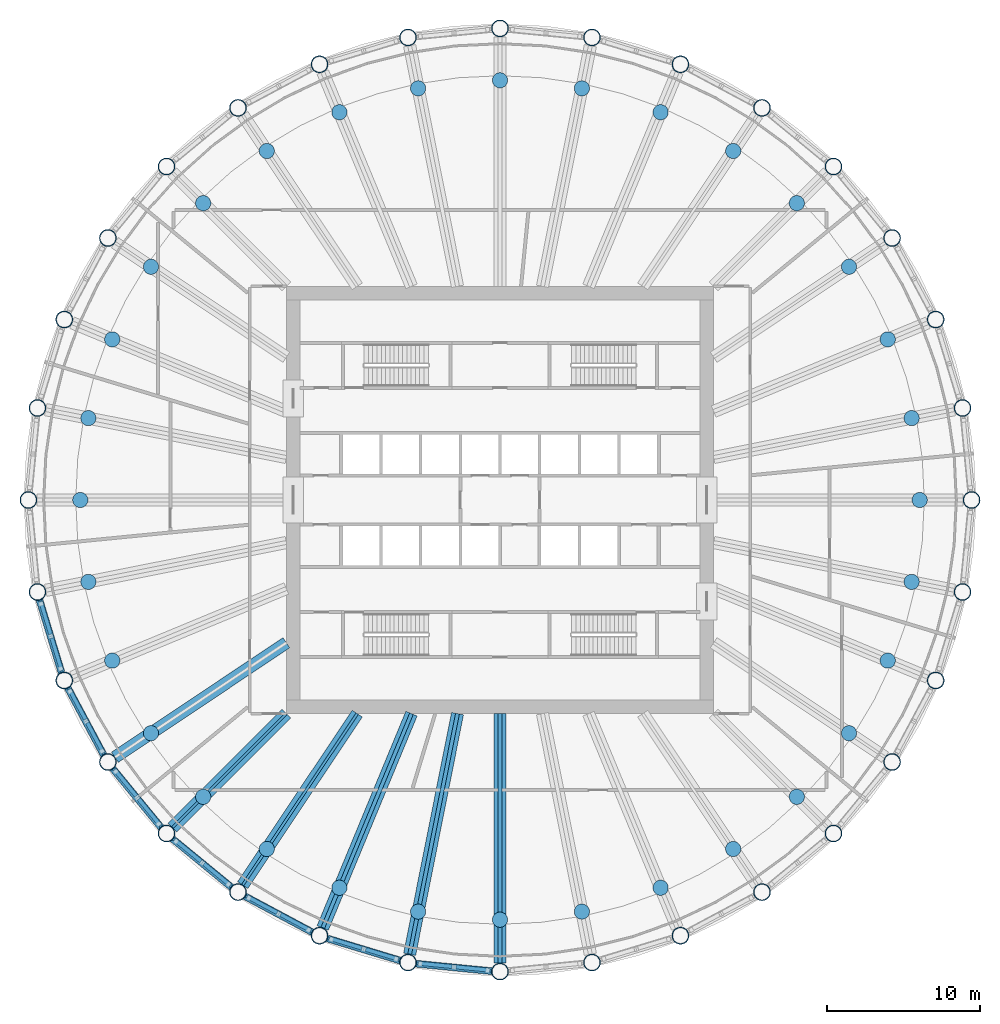
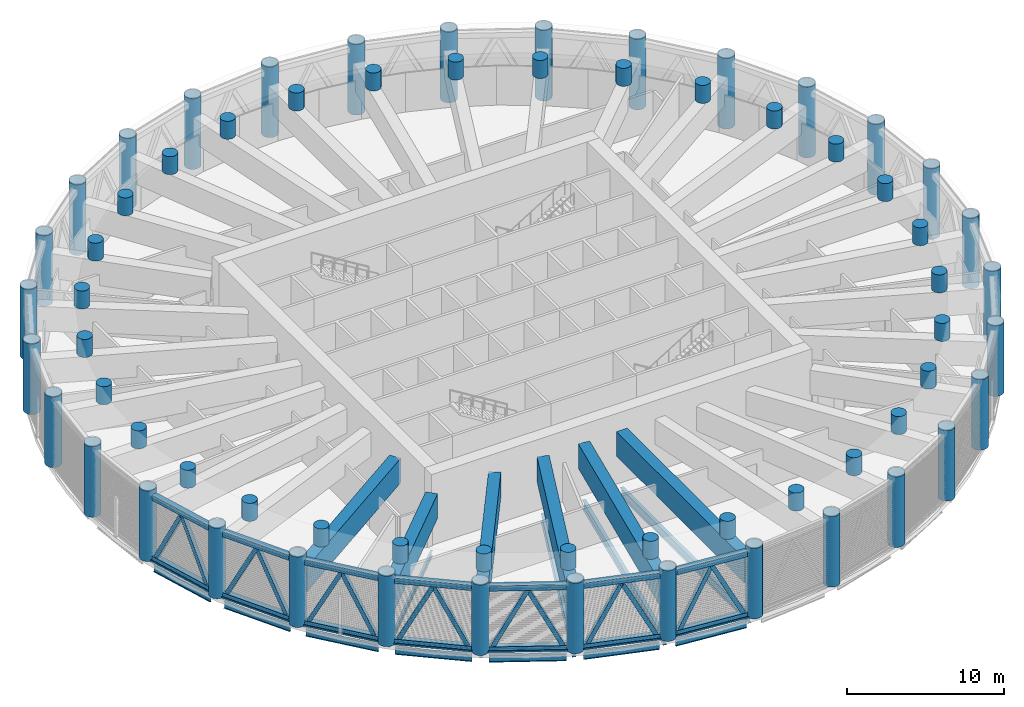
# One storey, part 1 of 23: 64 columns, 35 members, 18 beams, 7 elements without a shape of their own.
"""IFC4 building model written with IfcOpenShell, lengths in metres."""

from ifc_helpers import new_model, si_unit, direction, frame, origin, origin_2d, place, context, subcontext, project, spatial, rectangle, hollow_rectangle, circle, hollow_circle, i_section, extrude, material, material_profile, profile_set, type_object, element, aggregate, save


model = new_model("IFC4")

# Units and contexts
model_context = context("Model", 3, precision=1e-05, world=origin(), true_north=direction((0.0, 1.0)))
body_context = subcontext(model_context, "Body", "Model", "MODEL_VIEW")
ifc_project = project(units=[si_unit("LENGTHUNIT", "METRE"), si_unit("AREAUNIT", "SQUARE_METRE"), si_unit("VOLUMEUNIT", "CUBIC_METRE"), si_unit("PLANEANGLEUNIT", "RADIAN"), si_unit("MASSUNIT", "GRAM", prefix="KILO")], contexts=[model_context])

# Site, building, storey
site_placement = place(None, origin())
site = spatial("IfcSite", under=ifc_project, at=site_placement, CompositionType="ELEMENT")
building_placement = place(site_placement, origin())
building = spatial("IfcBuilding", under=site, at=building_placement, Name="Corvane Civic Tower", CompositionType="ELEMENT")
storey_placement = place(building_placement, frame((0.0, 0.0, 196.0)))
storey = spatial("IfcBuildingStorey", under=building, at=storey_placement, Name="L46", CompositionType="ELEMENT", Elevation=196.0)

# Columns
ifc_material_1 = material(Name="Steel ASTM A572 Gr 50", Category="steel")
ifc_material_profile_1 = material_profile(ifc_material_1, hollow_circle(Radius=0.550048828125, WallThickness=0.031982421875, at=origin_2d()), Name="CHS1100X32")
ifc_profile_set_1 = profile_set([ifc_material_profile_1], Name="Steel ASTM A572 Gr 50")
column_type_1 = type_object("IfcColumnType", Name="COMPOSITE COLUMN CHS1100X32", PredefinedType="COLUMN", material=ifc_profile_set_1)
for number, where, z_axis, x_axis, name in (
    (1, (0.0, 30.89990234375, 0.0), (0.0, 0.0, 1.0), (1.0, 0.0, 0.0), "COL-L46-C01"),
    (2, (6.0283203125, 30.30615234375, 0.0), (0.0, 0.0, 1.0), (1.0, 0.0, 0.0), "COL-L46-C02"),
    (3, (11.824951171875, 28.5478515625, 0.0), (0.0, 0.0, 1.0), (1.0, 0.0, 0.0), "COL-L46-C03"),
    (4, (17.167236328125, 25.6923828125, 0.0), (0.0, 0.0, 1.0), (1.0, 0.0, 0.0), "COL-L46-C04"),
    (5, (21.849609375, 21.849609375, 0.0), (0.0, 0.0, 1.0), (1.0, 0.0, 0.0), "COL-L46-C05"),
    (6, (25.6923828125, 17.167236328125, 0.0), (0.0, 0.0, 1.0), (1.0, 0.0, 0.0), "COL-L46-C06"),
    (7, (28.5478515625, 11.824951171875, 0.0), (0.0, 0.0, 1.0), (1.0, 0.0, 0.0), "COL-L46-C07"),
    (8, (30.30615234375, 6.0283203125, 0.0), (0.0, 0.0, 1.0), (1.0, 0.0, 0.0), "COL-L46-C08"),
    (9, (30.89990234375, 0.0, 0.0), (0.0, 0.0, 1.0), (1.0, 0.0, 0.0), "COL-L46-C09"),
    (10, (30.30615234375, -6.0283203125, 0.0), (0.0, 0.0, 1.0), (1.0, 0.0, 0.0), "COL-L46-C10"),
    (11, (28.5478515625, -11.824951171875, 0.0), (0.0, 0.0, 1.0), (1.0, 0.0, 0.0), "COL-L46-C11"),
    (12, (25.6923828125, -17.167236328125, 0.0), (0.0, 0.0, 1.0), (1.0, 0.0, 0.0), "COL-L46-C12"),
    (13, (21.849609375, -21.849609375, 0.0), (0.0, 0.0, 1.0), (1.0, 0.0, 0.0), "COL-L46-C13"),
    (14, (17.167236328125, -25.6923828125, 0.0), (0.0, 0.0, 1.0), (1.0, 0.0, 0.0), "COL-L46-C14"),
    (15, (11.824951171875, -28.5478515625, 0.0), (0.0, 0.0, 1.0), (1.0, 0.0, 0.0), "COL-L46-C15"),
    (16, (6.0283203125, -30.30615234375, 0.0), (0.0, 0.0, 1.0), (1.0, 0.0, 0.0), "COL-L46-C16"),
    (17, (0.0, -30.89990234375, 0.0), (0.0, 0.0, 1.0), (1.0, 0.0, 0.0), "COL-L46-C17"),
    (18, (-6.0283203125, -30.30615234375, 0.0), (0.0, 0.0, 1.0), (1.0, 0.0, 0.0), "COL-L46-C18"),
    (19, (-11.824951171875, -28.5478515625, 0.0), (0.0, 0.0, 1.0), (1.0, 0.0, 0.0), "COL-L46-C19"),
    (20, (-17.167236328125, -25.6923828125, 0.0), (0.0, 0.0, 1.0), (1.0, 0.0, 0.0), "COL-L46-C20"),
    (21, (-21.849609375, -21.849609375, 0.0), (0.0, 0.0, 1.0), (1.0, 0.0, 0.0), "COL-L46-C21"),
    (22, (-25.6923828125, -17.167236328125, 0.0), (0.0, 0.0, 1.0), (1.0, 0.0, 0.0), "COL-L46-C22"),
    (23, (-28.5478515625, -11.824951171875, 0.0), (0.0, 0.0, 1.0), (1.0, 0.0, 0.0), "COL-L46-C23"),
    (24, (-30.30615234375, -6.0283203125, 0.0), (0.0, 0.0, 1.0), (1.0, 0.0, 0.0), "COL-L46-C24"),
    (25, (-30.89990234375, 0.0, 0.0), (0.0, 0.0, 1.0), (1.0, 0.0, 0.0), "COL-L46-C25"),
    (26, (-30.30615234375, 6.0283203125, 0.0), (0.0, 0.0, 1.0), (1.0, 0.0, 0.0), "COL-L46-C26"),
    (27, (-28.5478515625, 11.824951171875, 0.0), (0.0, 0.0, 1.0), (1.0, 0.0, 0.0), "COL-L46-C27"),
    (28, (-25.6923828125, 17.167236328125, 0.0), (0.0, 0.0, 1.0), (1.0, 0.0, 0.0), "COL-L46-C28"),
    (29, (-21.849609375, 21.849609375, 0.0), (0.0, 0.0, 1.0), (1.0, 0.0, 0.0), "COL-L46-C29"),
    (30, (-17.167236328125, 25.6923828125, 0.0), (0.0, 0.0, 1.0), (1.0, 0.0, 0.0), "COL-L46-C30"),
    (31, (-11.824951171875, 28.5478515625, 0.0), (0.0, 0.0, 1.0), (1.0, 0.0, 0.0), "COL-L46-C31"),
    (32, (-6.0283203125, 30.30615234375, 0.0), (0.0, 0.0, 1.0), (1.0, 0.0, 0.0), "COL-L46-C32"),
):
    element("IfcColumn", number, at=place(storey_placement, frame(where, z_axis=z_axis, x_axis=x_axis)), inside=storey, type_object=column_type_1, Name=name, PredefinedType="COLUMN", context=body_context, shape_type="SweptSolid", body=[
        extrude(hollow_circle(Radius=0.550048828125, WallThickness=0.031982421875, at=origin_2d()), origin(), (0.0, 0.0, 1.0), 5.5),
    ])
ifc_material_2 = material(Name="Concrete C60/75", Category="concrete")
ifc_material_profile_2 = material_profile(ifc_material_2, circle(Radius=0.5, at=origin_2d()), Name="COLUMN 1000")
ifc_profile_set_2 = profile_set([ifc_material_profile_2], Name="Concrete C60/75")
column_type_2 = type_object("IfcColumnType", Name="RC COLUMN COLUMN 1000", PredefinedType="COLUMN", material=ifc_profile_set_2)
for number, where, z_axis, x_axis, name in (
    (33, (0.0, 27.5, 4.10009765625), (0.0, 0.0, 1.0), (1.0, 0.0, 0.0), "COL-L46-D01"),
    (34, (5.364990234375, 26.9716796875, 4.10009765625), (0.0, 0.0, 1.0), (1.0, 0.0, 0.0), "COL-L46-D02"),
    (35, (10.523681640625, 25.40673828125, 4.10009765625), (0.0, 0.0, 1.0), (1.0, 0.0, 0.0), "COL-L46-D03"),
    (36, (15.278076171875, 22.865478515625, 4.10009765625), (0.0, 0.0, 1.0), (1.0, 0.0, 0.0), "COL-L46-D04"),
    (37, (19.445556640625, 19.445556640625, 4.10009765625), (0.0, 0.0, 1.0), (1.0, 0.0, 0.0), "COL-L46-D05"),
    (38, (22.865478515625, 15.278076171875, 4.10009765625), (0.0, 0.0, 1.0), (1.0, 0.0, 0.0), "COL-L46-D06"),
    (39, (25.40673828125, 10.523681640625, 4.10009765625), (0.0, 0.0, 1.0), (1.0, 0.0, 0.0), "COL-L46-D07"),
    (40, (26.9716796875, 5.364990234375, 4.10009765625), (0.0, 0.0, 1.0), (1.0, 0.0, 0.0), "COL-L46-D08"),
    (41, (27.5, 0.0, 4.10009765625), (0.0, 0.0, 1.0), (1.0, 0.0, 0.0), "COL-L46-D09"),
    (42, (26.9716796875, -5.364990234375, 4.10009765625), (0.0, 0.0, 1.0), (1.0, 0.0, 0.0), "COL-L46-D10"),
    (43, (25.40673828125, -10.523681640625, 4.10009765625), (0.0, 0.0, 1.0), (1.0, 0.0, 0.0), "COL-L46-D11"),
    (44, (22.865478515625, -15.278076171875, 4.10009765625), (0.0, 0.0, 1.0), (1.0, 0.0, 0.0), "COL-L46-D12"),
    (45, (19.445556640625, -19.445556640625, 4.10009765625), (0.0, 0.0, 1.0), (1.0, 0.0, 0.0), "COL-L46-D13"),
    (46, (15.278076171875, -22.865478515625, 4.10009765625), (0.0, 0.0, 1.0), (1.0, 0.0, 0.0), "COL-L46-D14"),
    (47, (10.523681640625, -25.40673828125, 4.10009765625), (0.0, 0.0, 1.0), (1.0, 0.0, 0.0), "COL-L46-D15"),
    (48, (5.364990234375, -26.9716796875, 4.10009765625), (0.0, 0.0, 1.0), (1.0, 0.0, 0.0), "COL-L46-D16"),
    (49, (0.0, -27.5, 4.10009765625), (0.0, 0.0, 1.0), (1.0, 0.0, 0.0), "COL-L46-D17"),
    (50, (-5.364990234375, -26.9716796875, 4.10009765625), (0.0, 0.0, 1.0), (1.0, 0.0, 0.0), "COL-L46-D18"),
    (51, (-10.523681640625, -25.40673828125, 4.10009765625), (0.0, 0.0, 1.0), (1.0, 0.0, 0.0), "COL-L46-D19"),
    (52, (-15.278076171875, -22.865478515625, 4.10009765625), (0.0, 0.0, 1.0), (1.0, 0.0, 0.0), "COL-L46-D20"),
    (53, (-19.445556640625, -19.445556640625, 4.10009765625), (0.0, 0.0, 1.0), (1.0, 0.0, 0.0), "COL-L46-D21"),
    (54, (-22.865478515625, -15.278076171875, 4.10009765625), (0.0, 0.0, 1.0), (1.0, 0.0, 0.0), "COL-L46-D22"),
    (55, (-25.40673828125, -10.523681640625, 4.10009765625), (0.0, 0.0, 1.0), (1.0, 0.0, 0.0), "COL-L46-D23"),
    (56, (-26.9716796875, -5.364990234375, 4.10009765625), (0.0, 0.0, 1.0), (1.0, 0.0, 0.0), "COL-L46-D24"),
    (57, (-27.5, 0.0, 4.10009765625), (0.0, 0.0, 1.0), (1.0, 0.0, 0.0), "COL-L46-D25"),
    (58, (-26.9716796875, 5.364990234375, 4.10009765625), (0.0, 0.0, 1.0), (1.0, 0.0, 0.0), "COL-L46-D26"),
    (59, (-25.40673828125, 10.523681640625, 4.10009765625), (0.0, 0.0, 1.0), (1.0, 0.0, 0.0), "COL-L46-D27"),
    (60, (-22.865478515625, 15.278076171875, 4.10009765625), (0.0, 0.0, 1.0), (1.0, 0.0, 0.0), "COL-L46-D28"),
    (61, (-19.445556640625, 19.445556640625, 4.10009765625), (0.0, 0.0, 1.0), (1.0, 0.0, 0.0), "COL-L46-D29"),
    (62, (-15.278076171875, 22.865478515625, 4.10009765625), (0.0, 0.0, 1.0), (1.0, 0.0, 0.0), "COL-L46-D30"),
    (63, (-10.523681640625, 25.40673828125, 4.10009765625), (0.0, 0.0, 1.0), (1.0, 0.0, 0.0), "COL-L46-D31"),
    (64, (-5.364990234375, 26.9716796875, 4.10009765625), (0.0, 0.0, 1.0), (1.0, 0.0, 0.0), "COL-L46-D32"),
):
    element("IfcColumn", number, at=place(storey_placement, frame(where, z_axis=z_axis, x_axis=x_axis)), inside=storey, type_object=column_type_2, Name=name, PredefinedType="COLUMN", context=body_context, shape_type="SweptSolid", body=[
        extrude(circle(Radius=0.5, at=origin_2d()), origin(), (0.0, 0.0, 1.0), 1.39990234375),
    ])

# Members
ifc_material_3 = material(Name="Steel ASTM A500 Gr C", Category="steel")
ifc_material_profile_3 = material_profile(ifc_material_3, hollow_rectangle(XDim=0.406494140625, YDim=0.406494140625, WallThickness=0.0146484375, at=origin_2d()), Name="HSS16X16X5/8")
ifc_profile_set_3 = profile_set([ifc_material_profile_3], Name="Steel ASTM A500 Gr C")
member_type_1 = type_object("IfcMemberType", Name="BELT CHORD HSS16X16X5/8", PredefinedType="CHORD", material=ifc_profile_set_3)
for number, where, z_axis, x_axis, name in (
    (65, (-0.54736328125, -30.845947265625, 4.94677734375), (-0.995186236294, 0.09800181167, 0.0), (-0.09800181167, -0.995186236294, 0.0), "Belt truss BT-L46"),
    (66, (-0.54736328125, -30.845947265625, 0.203125), (-0.995186236294, 0.09800181167, 0.0), (-0.09800181167, -0.995186236294, 0.0), "Belt truss BT-L46"),
):
    element("IfcMember", number, at=place(storey_placement, frame(where, z_axis=z_axis, x_axis=x_axis)), inside=storey, type_object=member_type_1, Name=name, PredefinedType="CHORD", context=body_context, shape_type="SweptSolid", body=[
        extrude(hollow_rectangle(XDim=0.406494140625, YDim=0.406494140625, WallThickness=0.0146484375, at=origin_2d()), origin(), (0.0, 0.0, 1.0), 4.95751953125),
    ])
for number, where, z_axis, x_axis, name in (
    (67, (-6.5546875, -30.146484375, 4.94677734375), (-0.956944842086, 0.290269821381, 0.0), (-0.290269821381, -0.956944842086, 0.0), "Belt truss BT-L46"),
    (68, (-6.5546875, -30.146484375, 0.203125), (-0.956944842086, 0.290269821381, 0.0), (-0.290269821381, -0.956944842086, 0.0), "Belt truss BT-L46"),
):
    element("IfcMember", number, at=place(storey_placement, frame(where, z_axis=z_axis, x_axis=x_axis)), inside=storey, type_object=member_type_1, Name=name, PredefinedType="CHORD", context=body_context, shape_type="SweptSolid", body=[
        extrude(hollow_rectangle(XDim=0.406494140625, YDim=0.406494140625, WallThickness=0.0146484375, at=origin_2d()), origin(), (0.0, 0.0, 1.0), 4.957275390625),
    ])
for number, where, z_axis, x_axis, name in (
    (69, (-12.31005859375, -28.28857421875, 4.94677734375), (-0.881921784846, 0.471395763042, 0.0), (-0.471395763042, -0.881921784846, 0.0), "Belt truss BT-L46"),
    (70, (-12.31005859375, -28.28857421875, 0.203125), (-0.881921784846, 0.471395763042, 0.0), (-0.471395763042, -0.881921784846, 0.0), "Belt truss BT-L46"),
    (71, (-17.59228515625, -25.343505859375, 4.94677734375), (-0.77301516208, 0.634387546532, 0.0), (-0.634387546532, -0.77301516208, 0.0), "Belt truss BT-L46"),
    (72, (-17.59228515625, -25.343505859375, 0.203125), (-0.77301516208, 0.634387546532, 0.0), (-0.634387546532, -0.77301516208, 0.0), "Belt truss BT-L46"),
    (73, (-22.198486328125, -21.424560546875, 4.94677734375), (-0.634387546532, 0.77301516208, 0.0), (-0.77301516208, -0.634387546532, 0.0), "Belt truss BT-L46"),
    (74, (-22.198486328125, -21.424560546875, 0.203125), (-0.634387546532, 0.77301516208, 0.0), (-0.77301516208, -0.634387546532, 0.0), "Belt truss BT-L46"),
    (75, (-25.95166015625, -16.68212890625, 4.94677734375), (-0.471395763042, 0.881921784846, 0.0), (-0.881921784846, -0.471395763042, 0.0), "Belt truss BT-L46"),
    (76, (-25.95166015625, -16.68212890625, 0.203125), (-0.471395763042, 0.881921784846, 0.0), (-0.881921784846, -0.471395763042, 0.0), "Belt truss BT-L46"),
):
    element("IfcMember", number, at=place(storey_placement, frame(where, z_axis=z_axis, x_axis=x_axis)), inside=storey, type_object=member_type_1, Name=name, PredefinedType="CHORD", context=body_context, shape_type="SweptSolid", body=[
        extrude(hollow_rectangle(XDim=0.406494140625, YDim=0.406494140625, WallThickness=0.0146484375, at=origin_2d()), origin(), (0.0, 0.0, 1.0), 4.95751953125),
    ])
for number, where, z_axis, x_axis, name in (
    (77, (-28.70751953125, -11.298583984375, 4.94677734375), (-0.290269821381, 0.956944842086, 0.0), (-0.956944842086, -0.290269821381, 0.0), "Belt truss BT-L46"),
    (78, (-28.70751953125, -11.298583984375, 0.203125), (-0.290269821381, 0.956944842086, 0.0), (-0.956944842086, -0.290269821381, 0.0), "Belt truss BT-L46"),
):
    element("IfcMember", number, at=place(storey_placement, frame(where, z_axis=z_axis, x_axis=x_axis)), inside=storey, type_object=member_type_1, Name=name, PredefinedType="CHORD", context=body_context, shape_type="SweptSolid", body=[
        extrude(hollow_rectangle(XDim=0.406494140625, YDim=0.406494140625, WallThickness=0.0146484375, at=origin_2d()), origin(), (0.0, 0.0, 1.0), 4.957275390625),
    ])
ifc_material_4 = material(Name="Steel ASTM A500 Gr C", Category="steel")
ifc_material_profile_4 = material_profile(ifc_material_4, hollow_rectangle(XDim=0.3046875, YDim=0.3046875, WallThickness=0.01171875, at=origin_2d()), Name="HSS12X12X1/2")
ifc_profile_set_4 = profile_set([ifc_material_profile_4], Name="Steel ASTM A500 Gr C")
member_type_2 = type_object("IfcMemberType", Name="BELT DIAGONAL HSS12X12X1/2", PredefinedType="BRACE", material=ifc_profile_set_4)
for number, where, z_axis, x_axis, name in (
    (79, (-0.796142578125, -30.821533203125, 0.406494140625), (-0.454856799935, 0.04480977831, 0.889436549351), (-0.098039445672, -0.995182529535, 0.0), "Belt truss BT-L46"),
    (80, (-5.232177734375, -30.384521484375, 0.406494140625), (0.454856799935, -0.04480977831, 0.889436549351), (0.098039445672, 0.995182529535, 0.0), "Belt truss BT-L46"),
    (81, (-6.7939453125, -30.073974609375, 0.406494140625), (-0.437382422958, 0.132676673631, 0.88943438002), (-0.290281003113, -0.956941450263, 0.0), "Belt truss BT-L46"),
    (82, (-11.059326171875, -28.780029296875, 0.406494140625), (0.437341932882, -0.132679578951, 0.889453856629), (0.290311434389, 0.956932218636, 0.0), "Belt truss BT-L46"),
    (83, (-12.530517578125, -28.170654296875, 0.406494140625), (-0.403089677628, 0.215438440297, 0.889440830091), (-0.471366987968, -0.881937164799, 0.0), "Belt truss BT-L46"),
    (84, (-16.461669921875, -26.069580078125, 0.406494140625), (0.403089677628, -0.215438440297, 0.889440830091), (0.471366987968, 0.881937164799, 0.0), "Belt truss BT-L46"),
    (85, (-17.78564453125, -25.184814453125, 0.406494140625), (-0.353278113632, 0.289942397399, 0.889453754064), (-0.634412297513, -0.772994849119, 0.0), "Belt truss BT-L46"),
    (86, (-21.231201171875, -22.357177734375, 0.406494140625), (0.353321931501, -0.289937268715, 0.889438020848), (0.634358576792, 0.773038935663, 0.0), "Belt truss BT-L46"),
    (87, (-22.357177734375, -21.231201171875, 0.406494140625), (-0.289937268715, 0.353321931501, 0.889438020848), (-0.773038935663, -0.634358576792, 0.0), "Belt truss BT-L46"),
    (88, (-25.184814453125, -17.78564453125, 0.406494140625), (0.289942397399, -0.353278113632, 0.889453754064), (0.772994849119, 0.634412297513, 0.0), "Belt truss BT-L46"),
    (89, (-26.069580078125, -16.461669921875, 0.406494140625), (-0.215438440297, 0.403089677628, 0.889440830091), (-0.881937164799, -0.471366987968, 0.0), "Belt truss BT-L46"),
    (90, (-28.170654296875, -12.530517578125, 0.406494140625), (0.215438440297, -0.403089677628, 0.889440830091), (0.881937164799, 0.471366987968, 0.0), "Belt truss BT-L46"),
    (91, (-28.780029296875, -11.059326171875, 0.406494140625), (-0.132679578951, 0.437341932882, 0.889453856629), (-0.956932218636, -0.290311434389, 0.0), "Belt truss BT-L46"),
    (92, (-30.073974609375, -6.7939453125, 0.406494140625), (0.132676673631, -0.437382422958, 0.88943438002), (0.956941450263, 0.290281003113, 0.0), "Belt truss BT-L46"),
):
    element("IfcMember", number, at=place(storey_placement, frame(where, z_axis=z_axis, x_axis=x_axis)), inside=storey, type_object=member_type_2, Name=name, PredefinedType="BRACE", context=body_context, shape_type="SweptSolid", body=[
        extrude(hollow_rectangle(XDim=0.3046875, YDim=0.3046875, WallThickness=0.01171875, at=origin_2d()), origin(), (0.0, 0.0, 1.0), 4.876220703125),
    ])

# Beams
ifc_material_5 = material(Name="Steel ASTM A992 Gr 50", Category="steel")
ifc_material_profile_5 = material_profile(ifc_material_5, i_section(OverallWidth=0.165771484375, OverallDepth=0.5283203125, WebThickness=0.009765625, FlangeThickness=0.013671875, at=origin_2d()), Name="W21X50")
ifc_profile_set_5 = profile_set([ifc_material_profile_5], Name="Steel ASTM A992 Gr 50")
beam_type_1 = type_object("IfcBeamType", Name="EDGE BEAM W21X50", PredefinedType="BEAM", material=ifc_profile_set_5)
beam_1_placement = place(storey_placement, frame((-0.54736328125, -30.845947265625, -0.6142578125), z_axis=(-0.995186236294, 0.09800181167, 0.0), x_axis=(-0.09800181167, -0.995186236294, 0.0)))
element("IfcBeam", 93, at=beam_1_placement, inside=storey, type_object=beam_type_1, Name="BM-L46-E17", PredefinedType="BEAM", context=body_context, shape_type="SweptSolid", body=[
    extrude(i_section(OverallWidth=0.165771484375, OverallDepth=0.5283203125, WebThickness=0.009765625, FlangeThickness=0.013671875, at=origin_2d()), origin(), (0.0, 0.0, 1.0), 4.95751953125),
])
beam_2_placement = place(storey_placement, frame((-6.5546875, -30.146484375, -0.6142578125), z_axis=(-0.956944842086, 0.290269821381, 0.0), x_axis=(-0.290269821381, -0.956944842086, 0.0)))
element("IfcBeam", 94, at=beam_2_placement, inside=storey, type_object=beam_type_1, Name="BM-L46-E18", PredefinedType="BEAM", context=body_context, shape_type="SweptSolid", body=[
    extrude(i_section(OverallWidth=0.165771484375, OverallDepth=0.5283203125, WebThickness=0.009765625, FlangeThickness=0.013671875, at=origin_2d()), origin(), (0.0, 0.0, 1.0), 4.957275390625),
])
for number, where, z_axis, x_axis, name in (
    (95, (-12.31005859375, -28.28857421875, -0.6142578125), (-0.881921784846, 0.471395763042, 0.0), (-0.471395763042, -0.881921784846, 0.0), "BM-L46-E19"),
    (96, (-17.59228515625, -25.343505859375, -0.6142578125), (-0.77301516208, 0.634387546532, 0.0), (-0.634387546532, -0.77301516208, 0.0), "BM-L46-E20"),
    (97, (-22.198486328125, -21.424560546875, -0.6142578125), (-0.634387546532, 0.77301516208, 0.0), (-0.77301516208, -0.634387546532, 0.0), "BM-L46-E21"),
    (98, (-25.95166015625, -16.68212890625, -0.6142578125), (-0.471395763042, 0.881921784846, 0.0), (-0.881921784846, -0.471395763042, 0.0), "BM-L46-E22"),
):
    element("IfcBeam", number, at=place(storey_placement, frame(where, z_axis=z_axis, x_axis=x_axis)), inside=storey, type_object=beam_type_1, Name=name, PredefinedType="BEAM", context=body_context, shape_type="SweptSolid", body=[
        extrude(i_section(OverallWidth=0.165771484375, OverallDepth=0.5283203125, WebThickness=0.009765625, FlangeThickness=0.013671875, at=origin_2d()), origin(), (0.0, 0.0, 1.0), 4.95751953125),
    ])
beam_3_placement = place(storey_placement, frame((-28.70751953125, -11.298583984375, -0.6142578125), z_axis=(-0.290269821381, 0.956944842086, 0.0), x_axis=(-0.956944842086, -0.290269821381, 0.0)))
element("IfcBeam", 99, at=beam_3_placement, inside=storey, type_object=beam_type_1, Name="BM-L46-E23", PredefinedType="BEAM", context=body_context, shape_type="SweptSolid", body=[
    extrude(i_section(OverallWidth=0.165771484375, OverallDepth=0.5283203125, WebThickness=0.009765625, FlangeThickness=0.013671875, at=origin_2d()), origin(), (0.0, 0.0, 1.0), 4.957275390625),
])
ifc_material_6 = material(Name="Steel ASTM A992 Gr 50", Category="steel")
ifc_material_profile_6 = material_profile(ifc_material_6, i_section(OverallWidth=0.15283203125, OverallDepth=0.45458984375, WebThickness=0.008056640625, FlangeThickness=0.013427734375, at=origin_2d()), Name="W18X40")
ifc_profile_set_6 = profile_set([ifc_material_profile_6], Name="Steel ASTM A992 Gr 50")
beam_type_2 = type_object("IfcBeamType", Name="FLOOR GIRDER W18X40", PredefinedType="BEAM", material=ifc_profile_set_6)
beam_4_placement = place(storey_placement, frame((-14.0, -14.0, -0.577392578125), z_axis=(-0.707106781187, -0.707106781187, 0.0), x_axis=(0.707106781187, -0.707106781187, 0.0)))
element("IfcBeam", 100, at=beam_4_placement, inside=storey, type_object=beam_type_2, Name="BM-L46-G21", PredefinedType="BEAM", context=body_context, shape_type="SweptSolid", body=[
    extrude(i_section(OverallWidth=0.15283203125, OverallDepth=0.45458984375, WebThickness=0.008056640625, FlangeThickness=0.013427734375, at=origin_2d()), origin(), (0.0, 0.0, 1.0), 10.551025390625),
])
ifc_material_7 = material(Name="Steel ASTM A992 Gr 50", Category="steel")
ifc_material_profile_7 = material_profile(ifc_material_7, i_section(OverallWidth=0.177978515625, OverallDepth=0.599365234375, WebThickness=0.010009765625, FlangeThickness=0.012939453125, at=origin_2d()), Name="W24X55")
ifc_profile_set_7 = profile_set([ifc_material_profile_7], Name="Steel ASTM A992 Gr 50")
beam_type_3 = type_object("IfcBeamType", Name="FLOOR GIRDER W24X55", PredefinedType="BEAM", material=ifc_profile_set_7)
beam_5_placement = place(storey_placement, frame((-9.3544921875, -14.0, -0.649658203125), z_axis=(-0.555571323015, -0.83146888399, 0.0), x_axis=(0.83146888399, -0.555571323015, 0.0)))
element("IfcBeam", 101, at=beam_5_placement, inside=storey, type_object=beam_type_3, Name="BM-L46-G20", PredefinedType="BEAM", context=body_context, shape_type="SweptSolid", body=[
    extrude(i_section(OverallWidth=0.177978515625, OverallDepth=0.599365234375, WebThickness=0.010009765625, FlangeThickness=0.012939453125, at=origin_2d()), origin(), (0.0, 0.0, 1.0), 13.512451171875),
])
ifc_material_8 = material(Name="Steel ASTM A992 Gr 50", Category="steel")
ifc_material_profile_8 = material_profile(ifc_material_8, i_section(OverallWidth=0.25390625, OverallDepth=0.67822265625, WebThickness=0.01171875, FlangeThickness=0.016357421875, at=origin_2d()), Name="W27X84")
ifc_profile_set_8 = profile_set([ifc_material_profile_8], Name="Steel ASTM A992 Gr 50")
beam_type_4 = type_object("IfcBeamType", Name="FLOOR GIRDER W27X84", PredefinedType="BEAM", material=ifc_profile_set_8)
beam_6_placement = place(storey_placement, frame((0.0, -14.0, -0.689208984375), z_axis=(0.0, -1.0, 0.0), x_axis=(1.0, 0.0, 0.0)))
element("IfcBeam", 102, at=beam_6_placement, inside=storey, type_object=beam_type_4, Name="BM-L46-G17", PredefinedType="BEAM", context=body_context, shape_type="SweptSolid", body=[
    extrude(i_section(OverallWidth=0.25390625, OverallDepth=0.67822265625, WebThickness=0.01171875, FlangeThickness=0.016357421875, at=origin_2d()), origin(), (0.0, 0.0, 1.0), 16.35009765625),
])
beam_7_placement = place(storey_placement, frame((-2.78466796875, -14.0, -0.689208984375), z_axis=(-0.195090912248, -0.980785162999, 0.0), x_axis=(0.980785162999, -0.195090912248, 0.0)))
element("IfcBeam", 103, at=beam_7_placement, inside=storey, type_object=beam_type_4, Name="BM-L46-G18", PredefinedType="BEAM", context=body_context, shape_type="SweptSolid", body=[
    extrude(i_section(OverallWidth=0.25390625, OverallDepth=0.67822265625, WebThickness=0.01171875, FlangeThickness=0.016357421875, at=origin_2d()), origin(), (0.0, 0.0, 1.0), 16.07568359375),
])
beam_8_placement = place(storey_placement, frame((-5.799072265625, -14.0, -0.689208984375), z_axis=(-0.38268097323, -0.923880551114, 0.0), x_axis=(0.923880551114, -0.38268097323, 0.0)))
element("IfcBeam", 104, at=beam_8_placement, inside=storey, type_object=beam_type_4, Name="BM-L46-G19", PredefinedType="BEAM", context=body_context, shape_type="SweptSolid", body=[
    extrude(i_section(OverallWidth=0.25390625, OverallDepth=0.67822265625, WebThickness=0.01171875, FlangeThickness=0.016357421875, at=origin_2d()), origin(), (0.0, 0.0, 1.0), 15.196533203125),
])

# Curtain wall, member
ifc_material_9 = material(Name="Anodised aluminium bronze", Category="aluminium")
curtain_wall_type = type_object("IfcCurtainWallType", Name="TOWER CW-LV LOUVRE SCREEN WALL", PredefinedType="NOTDEFINED", material=ifc_material_9)
curtain_wall_1_placement = place(storey_placement, origin())
curtain_wall_1 = element("IfcCurtainWall", 105, at=curtain_wall_1_placement, inside=storey, type_object=curtain_wall_type, Name="Louvre screen wall CW-LV L46 bay 17", PredefinedType="NOTDEFINED")
ifc_material_10 = material(Name="Anodised aluminium bronze", Category="aluminium")
ifc_material_profile_9 = material_profile(ifc_material_10, rectangle(XDim=0.139892578125, YDim=0.1201171875, at=origin_2d()), Name="TOWER CW-LV TRANSOM 140x120")
ifc_profile_set_9 = profile_set([ifc_material_profile_9], Name="Anodised aluminium bronze")
member_type_3 = type_object("IfcMemberType", Name="TOWER CW-LV TRANSOM 140x120", PredefinedType="USERDEFINED", material=ifc_profile_set_9)
member_1_placement = place(storey_placement, frame((-0.505126953125, -31.0302734375, 0.06005859375), z_axis=(-0.995187423416, 0.097989755963, 0.0), x_axis=(-0.097989755963, -0.995187423416, 0.0)))
member_1 = element("IfcMember", 106, at=member_1_placement, type_object=member_type_3, Name="Transom CW-LV L46 17.1", ObjectType="TRANSOM", PredefinedType="USERDEFINED", context=body_context, shape_type="SweptSolid", body=[
    extrude(rectangle(XDim=0.139892578125, YDim=0.1201171875, at=origin_2d()), origin(), (0.0, 0.0, 1.0), 5.07763671875),
])
aggregate(curtain_wall_1, [member_1])

curtain_wall_2_placement = place(storey_placement, origin())
curtain_wall_2 = element("IfcCurtainWall", 107, at=curtain_wall_2_placement, inside=storey, type_object=curtain_wall_type, Name="Louvre screen wall CW-LV L46 bay 18", PredefinedType="NOTDEFINED")
member_2_placement = place(storey_placement, frame((-6.54931640625, -30.33544921875, 0.06005859375), z_axis=(-0.956939031389, 0.290288977061, 0.0), x_axis=(-0.290288977061, -0.956939031389, 0.0)))
member_2 = element("IfcMember", 108, at=member_2_placement, type_object=member_type_3, Name="Transom CW-LV L46 18.1", ObjectType="TRANSOM", PredefinedType="USERDEFINED", context=body_context, shape_type="SweptSolid", body=[
    extrude(rectangle(XDim=0.139892578125, YDim=0.1201171875, at=origin_2d()), origin(), (0.0, 0.0, 1.0), 5.077392578125),
])
aggregate(curtain_wall_2, [member_2])

curtain_wall_3_placement = place(storey_placement, origin())
curtain_wall_3 = element("IfcCurtainWall", 109, at=curtain_wall_3_placement, inside=storey, type_object=curtain_wall_type, Name="Louvre screen wall CW-LV L46 bay 19", PredefinedType="NOTDEFINED")
member_3_placement = place(storey_placement, frame((-12.341552734375, -28.474853515625, 0.06005859375), z_axis=(-0.881921329426, 0.471396615074, 0.0), x_axis=(-0.471396615074, -0.881921329426, 0.0)))
member_3 = element("IfcMember", 110, at=member_3_placement, type_object=member_type_3, Name="Transom CW-LV L46 19.1", ObjectType="TRANSOM", PredefinedType="USERDEFINED", context=body_context, shape_type="SweptSolid", body=[
    extrude(rectangle(XDim=0.139892578125, YDim=0.1201171875, at=origin_2d()), origin(), (0.0, 0.0, 1.0), 5.07763671875),
])
aggregate(curtain_wall_3, [member_3])

curtain_wall_4_placement = place(storey_placement, origin())
curtain_wall_4 = element("IfcCurtainWall", 111, at=curtain_wall_4_placement, inside=storey, type_object=curtain_wall_type, Name="Louvre screen wall CW-LV L46 bay 20", PredefinedType="NOTDEFINED")
member_4_placement = place(storey_placement, frame((-17.65966796875, -25.519775390625, 0.06005859375), z_axis=(-0.773015929719, 0.634386611146, 0.0), x_axis=(-0.634386611146, -0.773015929719, 0.0)))
member_4 = element("IfcMember", 112, at=member_4_placement, type_object=member_type_3, Name="Transom CW-LV L46 20.1", ObjectType="TRANSOM", PredefinedType="USERDEFINED", context=body_context, shape_type="SweptSolid", body=[
    extrude(rectangle(XDim=0.139892578125, YDim=0.1201171875, at=origin_2d()), origin(), (0.0, 0.0, 1.0), 5.0771484375),
])
aggregate(curtain_wall_4, [member_4])

curtain_wall_5_placement = place(storey_placement, origin())
curtain_wall_5 = element("IfcCurtainWall", 113, at=curtain_wall_5_placement, inside=storey, type_object=curtain_wall_type, Name="Louvre screen wall CW-LV L46 bay 21", PredefinedType="NOTDEFINED")
member_5_placement = place(storey_placement, frame((-22.298828125, -21.58447265625, 0.06005859375), z_axis=(-0.634386611146, 0.773015929719, 0.0), x_axis=(-0.773015929719, -0.634386611146, 0.0)))
member_5 = element("IfcMember", 114, at=member_5_placement, type_object=member_type_3, Name="Transom CW-LV L46 21.1", ObjectType="TRANSOM", PredefinedType="USERDEFINED", context=body_context, shape_type="SweptSolid", body=[
    extrude(rectangle(XDim=0.139892578125, YDim=0.1201171875, at=origin_2d()), origin(), (0.0, 0.0, 1.0), 5.0771484375),
])
aggregate(curtain_wall_5, [member_5])

curtain_wall_6_placement = place(storey_placement, origin())
curtain_wall_6 = element("IfcCurtainWall", 115, at=curtain_wall_6_placement, inside=storey, type_object=curtain_wall_type, Name="Louvre screen wall CW-LV L46 bay 22", PredefinedType="NOTDEFINED")
member_6_placement = place(storey_placement, frame((-26.081298828125, -16.819580078125, 0.06005859375), z_axis=(-0.471396615074, 0.881921329426, 0.0), x_axis=(-0.881921329426, -0.471396615074, 0.0)))
member_6 = element("IfcMember", 116, at=member_6_placement, type_object=member_type_3, Name="Transom CW-LV L46 22.1", ObjectType="TRANSOM", PredefinedType="USERDEFINED", context=body_context, shape_type="SweptSolid", body=[
    extrude(rectangle(XDim=0.139892578125, YDim=0.1201171875, at=origin_2d()), origin(), (0.0, 0.0, 1.0), 5.07763671875),
])
aggregate(curtain_wall_6, [member_6])

curtain_wall_7_placement = place(storey_placement, origin())
curtain_wall_7 = element("IfcCurtainWall", 117, at=curtain_wall_7_placement, inside=storey, type_object=curtain_wall_type, Name="Louvre screen wall CW-LV L46 bay 23", PredefinedType="NOTDEFINED")
member_7_placement = place(storey_placement, frame((-28.861572265625, -11.407958984375, 0.06005859375), z_axis=(-0.290288977061, 0.956939031389, 0.0), x_axis=(-0.956939031389, -0.290288977061, 0.0)))
member_7 = element("IfcMember", 118, at=member_7_placement, type_object=member_type_3, Name="Transom CW-LV L46 23.1", ObjectType="TRANSOM", PredefinedType="USERDEFINED", context=body_context, shape_type="SweptSolid", body=[
    extrude(rectangle(XDim=0.139892578125, YDim=0.1201171875, at=origin_2d()), origin(), (0.0, 0.0, 1.0), 5.077392578125),
])
aggregate(curtain_wall_7, [member_7])

# Beams
ifc_material_11 = material(Name="Steel ASTM A572 Gr 50", Category="steel")
ifc_material_profile_10 = material_profile(ifc_material_11, hollow_rectangle(XDim=0.800048828125, YDim=1.89990234375, WallThickness=0.050048828125, at=origin_2d()), Name="BOX1900X800X50")
ifc_profile_set_10 = profile_set([ifc_material_profile_10], Name="Steel ASTM A572 Gr 50")
beam_type_5 = type_object("IfcBeamType", Name="TRANSFER GIRDER BOX1900X800X50", PredefinedType="BEAM", material=ifc_profile_set_10)
beam_9_placement = place(storey_placement, frame((0.0, -14.0, 3.14990234375), z_axis=(0.0, -1.0, 0.0), x_axis=(1.0, 0.0, 0.0)))
element("IfcBeam", 119, at=beam_9_placement, inside=storey, type_object=beam_type_5, Name="Transfer girder TG-L46-17", PredefinedType="BEAM", context=body_context, shape_type="SweptSolid", body=[
    extrude(hollow_rectangle(XDim=0.800048828125, YDim=1.89990234375, WallThickness=0.050048828125, at=origin_2d()), origin(), (0.0, 0.0, 1.0), 16.35009765625),
])
beam_10_placement = place(storey_placement, frame((-2.78466796875, -14.0, 3.14990234375), z_axis=(-0.195090912248, -0.980785162999, 0.0), x_axis=(0.980785162999, -0.195090912248, 0.0)))
element("IfcBeam", 120, at=beam_10_placement, inside=storey, type_object=beam_type_5, Name="Transfer girder TG-L46-18", PredefinedType="BEAM", context=body_context, shape_type="SweptSolid", body=[
    extrude(hollow_rectangle(XDim=0.800048828125, YDim=1.89990234375, WallThickness=0.050048828125, at=origin_2d()), origin(), (0.0, 0.0, 1.0), 16.07568359375),
])
beam_11_placement = place(storey_placement, frame((-5.799072265625, -14.0, 3.14990234375), z_axis=(-0.38268097323, -0.923880551114, 0.0), x_axis=(0.923880551114, -0.38268097323, 0.0)))
element("IfcBeam", 121, at=beam_11_placement, inside=storey, type_object=beam_type_5, Name="Transfer girder TG-L46-19", PredefinedType="BEAM", context=body_context, shape_type="SweptSolid", body=[
    extrude(hollow_rectangle(XDim=0.800048828125, YDim=1.89990234375, WallThickness=0.050048828125, at=origin_2d()), origin(), (0.0, 0.0, 1.0), 15.196533203125),
])
beam_12_placement = place(storey_placement, frame((-9.3544921875, -14.0, 3.14990234375), z_axis=(-0.555571323015, -0.83146888399, 0.0), x_axis=(0.83146888399, -0.555571323015, 0.0)))
element("IfcBeam", 122, at=beam_12_placement, inside=storey, type_object=beam_type_5, Name="Transfer girder TG-L46-20", PredefinedType="BEAM", context=body_context, shape_type="SweptSolid", body=[
    extrude(hollow_rectangle(XDim=0.800048828125, YDim=1.89990234375, WallThickness=0.050048828125, at=origin_2d()), origin(), (0.0, 0.0, 1.0), 13.512451171875),
])
beam_13_placement = place(storey_placement, frame((-14.0, -14.0, 3.14990234375), z_axis=(-0.707106781187, -0.707106781187, 0.0), x_axis=(0.707106781187, -0.707106781187, 0.0)))
element("IfcBeam", 123, at=beam_13_placement, inside=storey, type_object=beam_type_5, Name="Transfer girder TG-L46-21", PredefinedType="BEAM", context=body_context, shape_type="SweptSolid", body=[
    extrude(hollow_rectangle(XDim=0.800048828125, YDim=1.89990234375, WallThickness=0.050048828125, at=origin_2d()), origin(), (0.0, 0.0, 1.0), 10.551025390625),
])
beam_14_placement = place(storey_placement, frame((-14.0, -9.3544921875, 3.14990234375), z_axis=(-0.83146888399, -0.555571323015, 0.0), x_axis=(0.555571323015, -0.83146888399, 0.0)))
element("IfcBeam", 124, at=beam_14_placement, inside=storey, type_object=beam_type_5, Name="Transfer girder TG-L46-22", PredefinedType="BEAM", context=body_context, shape_type="SweptSolid", body=[
    extrude(hollow_rectangle(XDim=0.800048828125, YDim=1.89990234375, WallThickness=0.050048828125, at=origin_2d()), origin(), (0.0, 0.0, 1.0), 13.512451171875),
])

save(model, "model.ifc")
